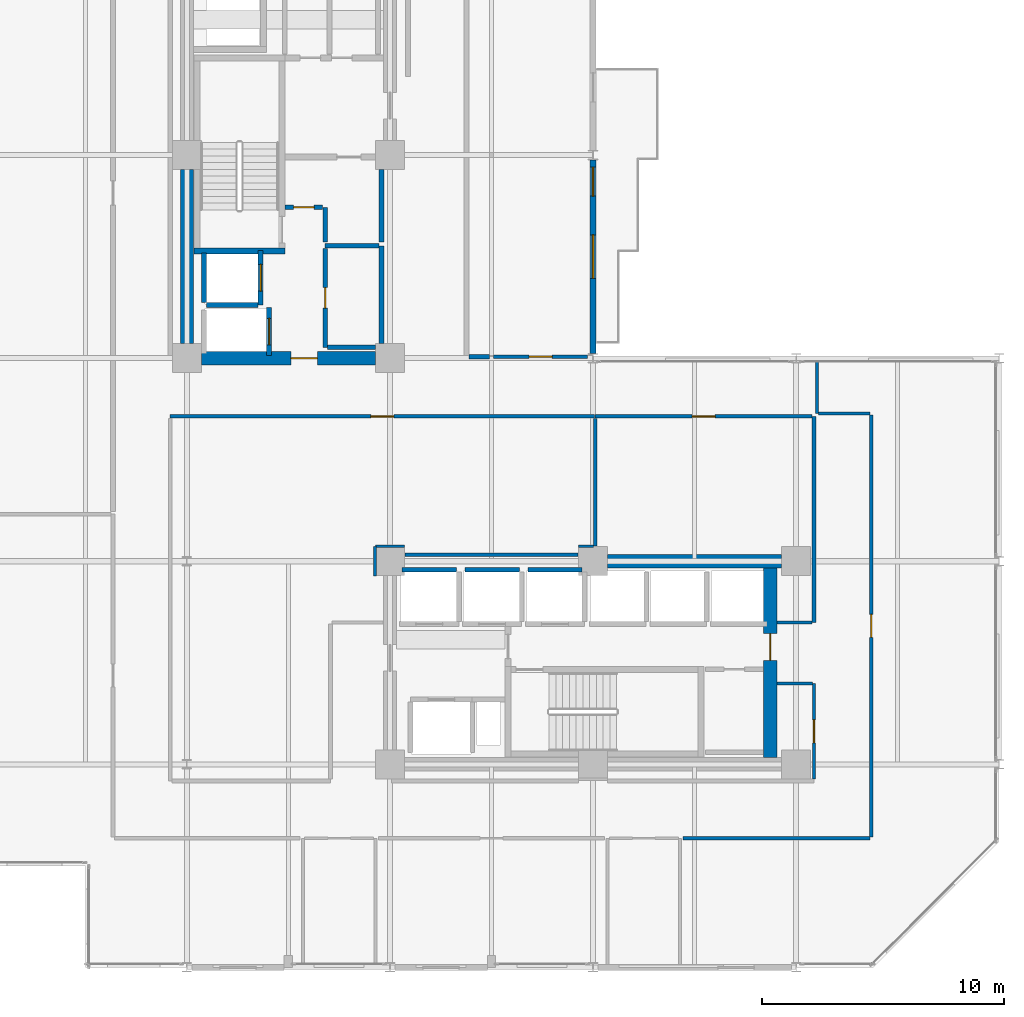
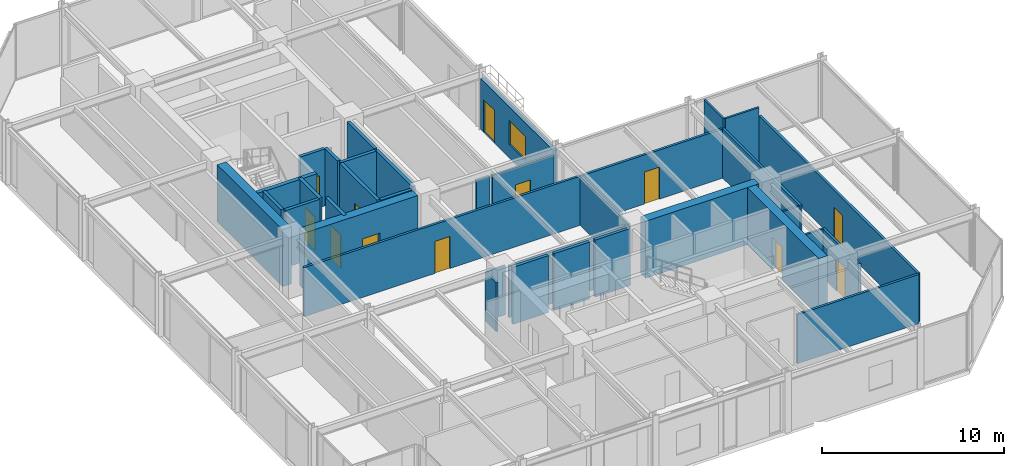
# One storey, part 25 of 29: 37 walls, 12 doors, 1 window, 13 openings.
"""IFC4 building model written with IfcOpenShell, lengths in metres."""

from ifc_helpers import new_model, si_unit, direction, frame, frame_2d, origin, place, context, subcontext, project, spatial, rectangle, extrude, material, layer, layer_set, type_object, element, fill, save


model = new_model("IFC4")

# Units and contexts
model_context = context("Model", 3, precision=1e-05, world=origin(), true_north=direction((0.0, 1.0)))
body_context = subcontext(model_context, "Body", "Model", "MODEL_VIEW")
ifc_project = project(units=[si_unit("LENGTHUNIT", "METRE"), si_unit("AREAUNIT", "SQUARE_METRE"), si_unit("VOLUMEUNIT", "CUBIC_METRE"), si_unit("PLANEANGLEUNIT", "RADIAN"), si_unit("MASSUNIT", "GRAM", prefix="KILO")], contexts=[model_context])

# Site, building, storey
site_placement = place(None, origin())
site = spatial("IfcSite", under=ifc_project, at=site_placement, CompositionType="ELEMENT")
building_placement = place(site_placement, origin())
building = spatial("IfcBuilding", under=site, at=building_placement, Name="Nerrivon Quay Data Exchange", CompositionType="ELEMENT")
storey_placement = place(building_placement, frame((0.0, 0.0, 125.39990234375)))
storey = spatial("IfcBuildingStorey", under=building, at=storey_placement, Name="L29", CompositionType="ELEMENT", Elevation=125.39990234375)

# Wall, openings, door, window
ifc_material_1 = material(Name="Architectural terracotta precast concrete N50 (50 MPa)", Category="masonry")
ifc_layer_1 = layer(ifc_material_1, 0.239990234375)
ifc_layer_set_1 = layer_set([ifc_layer_1], Name="Architectural terracotta precast concrete N50 (50 MPa)")
wall_type_1 = type_object("IfcWallType", Name="EW-PREC-240", PredefinedType="STANDARD", material=ifc_layer_set_1)
wall_1_placement = place(storey_placement, frame((25.199951171875, 33.39990234375, 0.0), z_axis=(0.0, 0.0, 1.0), x_axis=(0.0, -1.0, 0.0)))
wall_1 = element("IfcWall", 1, at=wall_1_placement, inside=storey, type_object=wall_type_1, Name="L29 Terrace Host Wall 25", PredefinedType="STANDARD", context=body_context, shape_type="SweptSolid", body=[
    extrude(rectangle(XDim=8.0, YDim=0.239990234375, at=frame_2d((4.0, 0.0))), origin(), (0.0, 0.0, 1.0), 3.422119140625),
])
opening_1_placement = place(wall_1_placement, frame((0.300048828125, 0.0, 0.0)))
opening_1 = element("IfcOpeningElement", 2, at=opening_1_placement, cuts=wall_1, Name="Opening TD1", PredefinedType="OPENING", context=body_context, shape_type="SweptSolid", body=[
    extrude(rectangle(XDim=1.199951171875, YDim=2.199951171875, at=frame_2d((0.60009765625, 1.10009765625))), frame((0.0, 0.1298828125, 0.0), z_axis=(0.0, -1.0, 0.0), x_axis=(1.0, 0.0, 0.0)), (0.0, 0.0, 1.0), 0.260009765625),
])
opening_2_placement = place(wall_1_placement, frame((3.10009765625, 0.0, 0.89990234375)))
opening_2 = element("IfcOpeningElement", 3, at=opening_2_placement, cuts=wall_1, Name="Opening WN2", PredefinedType="OPENING", context=body_context, shape_type="SweptSolid", body=[
    extrude(rectangle(XDim=1.800048828125, YDim=1.60009765625, at=frame_2d((0.89990234375, 0.800048828125))), frame((0.0, 0.1298828125, 0.0), z_axis=(0.0, -1.0, 0.0), x_axis=(1.0, 0.0, 0.0)), (0.0, 0.0, 1.0), 0.260009765625),
])
ifc_material_2 = material(Name="Double-glazed low-E solar control glass", Category="glass")
door_type_1 = type_object("IfcDoorType", Name="DR-TERR-1200x2200", OperationType="NOTDEFINED", PredefinedType="DOOR", material=ifc_material_2)
door_1_placement = place(opening_1_placement, origin())
door_1 = element("IfcDoor", 4, at=door_1_placement, inside=storey, type_object=door_type_1, Name="L29 Outdoor Terrace Access Door 25", OperationType="SINGLE_SWING_RIGHT", OverallHeight=2.199951171875, OverallWidth=1.199951171875, PredefinedType="DOOR", context=body_context, shape_type="SweptSolid", body=[
    extrude(rectangle(XDim=1.199951171875, YDim=2.199951171875, at=frame_2d((0.60009765625, 1.10009765625))), frame((0.0, 0.02490234375, 0.0), z_axis=(0.0, -1.0, 0.0), x_axis=(1.0, 0.0, 0.0)), (0.0, 0.0, 1.0), 0.050048828125),
])
fill(opening_1, door_1)
window_type = type_object("IfcWindowType", Name="WIN-W2-1800x1600", PartitioningType="SINGLE_PANEL", PredefinedType="WINDOW", material=ifc_material_2)
window_placement = place(opening_2_placement, origin())
window = element("IfcWindow", 5, at=window_placement, inside=storey, type_object=window_type, Name="L29 Terrace Side Window 25", OverallHeight=1.60009765625, OverallWidth=1.800048828125, PartitioningType="SINGLE_PANEL", PredefinedType="WINDOW", context=body_context, shape_type="SweptSolid", body=[
    extrude(rectangle(XDim=1.800048828125, YDim=1.60009765625, at=frame_2d((0.89990234375, 0.800048828125))), frame((0.0, 0.030029296875, 0.0), z_axis=(0.0, -1.0, 0.0), x_axis=(1.0, 0.0, 0.0)), (0.0, 0.0, 1.0), 0.06005859375),
])
fill(opening_2, window)

# Wall
ifc_material_3 = material(Name="Concrete S65 (65 MPa)", Category="concrete")
ifc_layer_2 = layer(ifc_material_3, 0.550048828125)
ifc_layer_set_2 = layer_set([ifc_layer_2], Name="Concrete S65 (65 MPa)")
wall_type_2 = type_object("IfcWallType", Name="WALL-CW-700", PredefinedType="SHEAR", material=ifc_layer_set_2)
wall_2_placement = place(storey_placement, frame((8.39990234375, 25.800048828125, 0.0), z_axis=(0.0, 0.0, 1.0), x_axis=(0.0, 1.0, 0.0)))
element("IfcWall", 6, at=wall_2_placement, inside=storey, type_object=wall_type_2, Name="L29 West Split-Core Shear Wall WCW-W1", PredefinedType="SHEAR", context=body_context, shape_type="SweptSolid", body=[
    extrude(rectangle(XDim=7.199951171875, YDim=0.550048828125, at=frame_2d((3.60009765625, 0.0))), origin(), (0.0, 0.0, 1.0), 3.8251953125),
])

# Wall, opening, door
wall_3_placement = place(storey_placement, frame((9.0, 25.199951171875, 0.0), z_axis=(0.0, 0.0, 1.0), x_axis=(1.0, 0.0, 0.0)))
wall_3 = element("IfcWall", 7, at=wall_3_placement, inside=storey, type_object=wall_type_2, Name="L29 West Split-Core Shear Wall WCW-S1", PredefinedType="SHEAR", context=body_context, shape_type="SweptSolid", body=[
    extrude(rectangle(XDim=7.199951171875, YDim=0.550048828125, at=frame_2d((3.60009765625, 0.0))), origin(), (0.0, 0.0, 1.0), 3.8251953125),
])
opening_3_placement = place(wall_3_placement, frame((3.699951171875, 0.0, 0.0)))
opening_3 = element("IfcOpeningElement", 8, at=opening_3_placement, cuts=wall_3, Name="Opening FD-120", PredefinedType="OPENING", context=body_context, shape_type="SweptSolid", body=[
    extrude(rectangle(XDim=1.10009765625, YDim=2.14990234375, at=frame_2d((0.550048828125, 1.074951171875))), frame((0.0, 0.284912109375, 0.0), z_axis=(0.0, -1.0, 0.0), x_axis=(1.0, 0.0, 0.0)), (0.0, 0.0, 1.0), 0.570068359375),
])
ifc_material_4 = material(Name="Powder-coated galvanized steel sheet", Category="steel")
door_type_2 = type_object("IfcDoorType", Name="DR-FD120-1100", OperationType="NOTDEFINED", PredefinedType="DOOR", material=ifc_material_4)
door_2_placement = place(opening_3_placement, origin())
door_2 = element("IfcDoor", 9, at=door_2_placement, inside=storey, type_object=door_type_2, Name="L29 West Core Lobby Fire Door", OperationType="SINGLE_SWING_LEFT", OverallHeight=2.14990234375, OverallWidth=1.10009765625, PredefinedType="DOOR", context=body_context, shape_type="SweptSolid", body=[
    extrude(rectangle(XDim=1.10009765625, YDim=2.14990234375, at=frame_2d((0.550048828125, 1.074951171875))), frame((0.0, 0.02490234375, 0.0), z_axis=(0.0, -1.0, 0.0), x_axis=(1.0, 0.0, 0.0)), (0.0, 0.0, 1.0), 0.050048828125),
])
fill(opening_3, door_2)

wall_4_placement = place(storey_placement, frame((32.52490234375, 8.675048828125, 0.0), z_axis=(0.0, 0.0, 1.0), x_axis=(0.0, 1.0, 0.0)))
wall_4 = element("IfcWall", 10, at=wall_4_placement, inside=storey, type_object=wall_type_2, Name="L29 East Split-Core Shear Wall ECW-E1", PredefinedType="SHEAR", context=body_context, shape_type="SweptSolid", body=[
    extrude(rectangle(XDim=7.849853515625, YDim=0.550048828125, at=frame_2d((3.9248046875, 0.0))), origin(), (0.0, 0.0, 1.0), 3.8251953125),
])
opening_4_placement = place(wall_4_placement, frame((4.02490234375, 0.0, 0.0)))
opening_4 = element("IfcOpeningElement", 11, at=opening_4_placement, cuts=wall_4, Name="Opening FD-120", PredefinedType="OPENING", context=body_context, shape_type="SweptSolid", body=[
    extrude(rectangle(XDim=1.10009765625, YDim=2.14990234375, at=frame_2d((0.550048828125, 1.074951171875))), frame((0.0, 0.284912109375, 0.0), z_axis=(0.0, -1.0, 0.0), x_axis=(1.0, 0.0, 0.0)), (0.0, 0.0, 1.0), 0.570068359375),
])
door_3_placement = place(opening_4_placement, origin())
door_3 = element("IfcDoor", 12, at=door_3_placement, inside=storey, type_object=door_type_2, Name="L29 East Core Lobby Fire Door", OperationType="SINGLE_SWING_RIGHT", OverallHeight=2.14990234375, OverallWidth=1.10009765625, PredefinedType="DOOR", context=body_context, shape_type="SweptSolid", body=[
    extrude(rectangle(XDim=1.10009765625, YDim=2.14990234375, at=frame_2d((0.550048828125, 1.074951171875))), frame((0.0, 0.02490234375, 0.0), z_axis=(0.0, -1.0, 0.0), x_axis=(1.0, 0.0, 0.0)), (0.0, 0.0, 1.0), 0.050048828125),
])
fill(opening_4, door_3)

# Wall
wall_5_placement = place(storey_placement, frame((25.800048828125, 16.800048828125, 0.0), z_axis=(0.0, 0.0, 1.0), x_axis=(1.0, 0.0, 0.0)))
element("IfcWall", 13, at=wall_5_placement, inside=storey, type_object=wall_type_2, Name="L29 East Split-Core Shear Wall ECW-N1", PredefinedType="SHEAR", context=body_context, shape_type="SweptSolid", body=[
    extrude(rectangle(XDim=7.199951171875, YDim=0.550048828125, at=frame_2d((3.60009765625, 0.0))), origin(), (0.0, 0.0, 1.0), 3.8251953125),
])

# Wall, opening, door
ifc_material_5 = material(Name="Gypsum plasterboard on cold-formed framing", Category="gypsum")
ifc_layer_3 = layer(ifc_material_5, 0.199951171875)
ifc_layer_set_3 = layer_set([ifc_layer_3], Name="Gypsum plasterboard on cold-formed framing")
wall_type_3 = type_object("IfcWallType", Name="WALL-FW-200", PredefinedType="PARTITIONING", material=ifc_layer_set_3)
wall_6_placement = place(storey_placement, frame((11.449951171875, 27.39990234375, 0.0), z_axis=(0.0, 0.0, 1.0), x_axis=(0.0, 1.0, 0.0)))
wall_6 = element("IfcWall", 14, at=wall_6_placement, inside=storey, type_object=wall_type_3, Name="L29 Lift Front Wall FFL-1", PredefinedType="PARTITIONING", context=body_context, shape_type="SweptSolid", body=[
    extrude(rectangle(XDim=2.25, YDim=0.199951171875, at=frame_2d((1.125, 0.0))), origin(), (0.0, 0.0, 1.0), 3.8251953125),
])
opening_5_placement = place(wall_6_placement, frame((0.574951171875, 0.0, 0.0)))
opening_5 = element("IfcOpeningElement", 15, at=opening_5_placement, cuts=wall_6, Name="Opening LD-120", PredefinedType="OPENING", context=body_context, shape_type="SweptSolid", body=[
    extrude(rectangle(XDim=1.10009765625, YDim=2.199951171875, at=frame_2d((0.550048828125, 1.10009765625))), frame((0.0, 0.10986328125, 0.0), z_axis=(0.0, -1.0, 0.0), x_axis=(1.0, 0.0, 0.0)), (0.0, 0.0, 1.0), 0.219970703125),
])
door_type_3 = type_object("IfcDoorType", Name="DR-LIFT-LD120", OperationType="DOUBLE_DOOR_SLIDING", PredefinedType="DOOR", material=ifc_material_4)
door_4_placement = place(opening_5_placement, origin())
door_4 = element("IfcDoor", 16, at=door_4_placement, inside=storey, type_object=door_type_3, Name="L29 Lift Landing Sliding Door FFL-1", OperationType="DOUBLE_DOOR_SLIDING", OverallHeight=2.199951171875, OverallWidth=1.10009765625, PredefinedType="DOOR", context=body_context, shape_type="SweptSolid", body=[
    extrude(rectangle(XDim=1.10009765625, YDim=2.199951171875, at=frame_2d((0.550048828125, 1.10009765625))), frame((0.0, 0.02490234375, 0.0), z_axis=(0.0, -1.0, 0.0), x_axis=(1.0, 0.0, 0.0)), (0.0, 0.0, 1.0), 0.050048828125),
])
fill(opening_5, door_4)

# Walls
wall_7_placement = place(storey_placement, frame((9.10009765625, 27.5, 0.0), z_axis=(0.0, 0.0, 1.0), x_axis=(0.0, 1.0, 0.0)))
element("IfcWall", 17, at=wall_7_placement, inside=storey, type_object=wall_type_3, Name="L29 Lift Shaft Wall FFL-1 WEST", PredefinedType="PARTITIONING", context=body_context, shape_type="SweptSolid", body=[
    extrude(rectangle(XDim=2.050048828125, YDim=0.199951171875, at=frame_2d((1.02490234375, 0.0))), origin(), (0.0, 0.0, 1.0), 3.8251953125),
])
wall_8_placement = place(storey_placement, frame((9.199951171875, 27.39990234375, 0.0), z_axis=(0.0, 0.0, 1.0), x_axis=(1.0, 0.0, 0.0)))
element("IfcWall", 18, at=wall_8_placement, inside=storey, type_object=wall_type_3, Name="L29 Lift Shaft Wall FFL-1 SOUTH", PredefinedType="PARTITIONING", context=body_context, shape_type="SweptSolid", body=[
    extrude(rectangle(XDim=2.150146484375, YDim=0.199951171875, at=frame_2d((1.0751953125, 0.0))), origin(), (0.0, 0.0, 1.0), 3.8251953125),
])

# Wall, opening, door
wall_9_placement = place(storey_placement, frame((11.800048828125, 25.300048828125, 0.0), z_axis=(0.0, 0.0, 1.0), x_axis=(0.0, 1.0, 0.0)))
wall_9 = element("IfcWall", 19, at=wall_9_placement, inside=storey, type_object=wall_type_3, Name="L29 Lift Front Wall SVL-1", PredefinedType="PARTITIONING", context=body_context, shape_type="SweptSolid", body=[
    extrude(rectangle(XDim=2.0, YDim=0.199951171875, at=frame_2d((1.0, 0.0))), origin(), (0.0, 0.0, 1.0), 3.8251953125),
])
opening_6_placement = place(wall_9_placement, frame((0.449951171875, 0.0, 0.0)))
opening_6 = element("IfcOpeningElement", 20, at=opening_6_placement, cuts=wall_9, Name="Opening LD-120", PredefinedType="OPENING", context=body_context, shape_type="SweptSolid", body=[
    extrude(rectangle(XDim=1.10009765625, YDim=2.199951171875, at=frame_2d((0.550048828125, 1.10009765625))), frame((0.0, 0.10986328125, 0.0), z_axis=(0.0, -1.0, 0.0), x_axis=(1.0, 0.0, 0.0)), (0.0, 0.0, 1.0), 0.219970703125),
])
door_5_placement = place(opening_6_placement, origin())
door_5 = element("IfcDoor", 21, at=door_5_placement, inside=storey, type_object=door_type_3, Name="L29 Lift Landing Sliding Door SVL-1", OperationType="DOUBLE_DOOR_SLIDING", OverallHeight=2.199951171875, OverallWidth=1.10009765625, PredefinedType="DOOR", context=body_context, shape_type="SweptSolid", body=[
    extrude(rectangle(XDim=1.10009765625, YDim=2.199951171875, at=frame_2d((0.550048828125, 1.10009765625))), frame((0.0, 0.02490234375, 0.0), z_axis=(0.0, -1.0, 0.0), x_axis=(1.0, 0.0, 0.0)), (0.0, 0.0, 1.0), 0.050048828125),
])
fill(opening_6, door_5)

# Walls
for number, where, z_axis, x_axis, name in (
    (22, (17.300048828125, 16.449951171875, 0.0), (0.0, 0.0, 1.0), (1.0, 0.0, 0.0), "L29 Lift Shaft Wall PL4 NORTH"),
    (23, (19.89990234375, 16.449951171875, 0.0), (0.0, 0.0, 1.0), (1.0, 0.0, 0.0), "L29 Lift Shaft Wall PL5 NORTH"),
    (24, (22.5, 16.449951171875, 0.0), (0.0, 0.0, 1.0), (1.0, 0.0, 0.0), "L29 Lift Shaft Wall PL6 NORTH"),
):
    element("IfcWall", number, at=place(storey_placement, frame(where, z_axis=z_axis, x_axis=x_axis)), inside=storey, type_object=wall_type_3, Name=name, PredefinedType="PARTITIONING", context=body_context, shape_type="SweptSolid", body=[
        extrude(rectangle(XDim=2.25, YDim=0.199951171875, at=frame_2d((1.125, 0.0))), origin(), (0.0, 0.0, 1.0), 3.8251953125),
    ])
wall_10_placement = place(storey_placement, frame((16.449951171875, 25.804931640625, 0.0), z_axis=(0.0, 0.0, 1.0), x_axis=(0.0, 1.0, 0.0)))
element("IfcWall", 25, at=wall_10_placement, inside=storey, type_object=wall_type_3, Name="L29 Partition Telemetry Hub Closet", PredefinedType="PARTITIONING", context=body_context, shape_type="SweptSolid", body=[
    extrude(rectangle(XDim=4.045166015625, YDim=0.199951171875, at=frame_2d((2.0224609375, 0.0))), origin(), (0.0, 0.0, 1.0), 3.8251953125),
])
wall_11_placement = place(storey_placement, frame((16.345947265625, 29.85009765625, 0.0), z_axis=(0.0, 0.0, 1.0), x_axis=(-1.0, 0.0, 0.0)))
element("IfcWall", 26, at=wall_11_placement, inside=storey, type_object=wall_type_3, Name="L29 Partition Telemetry Hub Closet", PredefinedType="PARTITIONING", context=body_context, shape_type="SweptSolid", body=[
    extrude(rectangle(XDim=2.225830078125, YDim=0.199951171875, at=frame_2d((1.11279296875, 0.0))), origin(), (0.0, 0.0, 1.0), 3.8251953125),
])

# Wall, opening, door
wall_12_placement = place(storey_placement, frame((14.1201171875, 29.74609375, 0.0), z_axis=(0.0, 0.0, 1.0), x_axis=(0.0, -1.0, 0.0)))
wall_12 = element("IfcWall", 27, at=wall_12_placement, inside=storey, type_object=wall_type_3, Name="L29 Partition Telemetry Hub Closet", PredefinedType="PARTITIONING", context=body_context, shape_type="SweptSolid", body=[
    extrude(rectangle(XDim=4.09619140625, YDim=0.199951171875, at=frame_2d((2.048095703125, 0.0))), origin(), (0.0, 0.0, 1.0), 3.8251953125),
])
opening_7_placement = place(wall_12_placement, frame((1.623046875, 0.0, 0.0)))
opening_7 = element("IfcOpeningElement", 28, at=opening_7_placement, cuts=wall_12, Name="Opening FD-60S", PredefinedType="OPENING", context=body_context, shape_type="SweptSolid", body=[
    extrude(rectangle(XDim=0.85009765625, YDim=2.14990234375, at=frame_2d((0.425048828125, 1.074951171875))), frame((0.0, 0.10986328125, 0.0), z_axis=(0.0, -1.0, 0.0), x_axis=(1.0, 0.0, 0.0)), (0.0, 0.0, 1.0), 0.219970703125),
])
ifc_material_6 = material(Name="Engineered hardwood timber", Category="wood")
door_type_4 = type_object("IfcDoorType", Name="DR-FD60-850", OperationType="NOTDEFINED", PredefinedType="DOOR", material=ifc_material_6)
door_6_placement = place(opening_7_placement, origin())
door_6 = element("IfcDoor", 29, at=door_6_placement, inside=storey, type_object=door_type_4, Name="L29 Door Telemetry Hub Closet", OperationType="SINGLE_SWING_RIGHT", OverallHeight=2.14990234375, OverallWidth=0.85009765625, PredefinedType="DOOR", context=body_context, shape_type="SweptSolid", body=[
    extrude(rectangle(XDim=0.85009765625, YDim=2.14990234375, at=frame_2d((0.425048828125, 1.074951171875))), frame((0.0, 0.02490234375, 0.0), z_axis=(0.0, -1.0, 0.0), x_axis=(1.0, 0.0, 0.0)), (0.0, 0.0, 1.0), 0.050048828125),
])
fill(opening_7, door_6)

# Walls
wall_13_placement = place(storey_placement, frame((14.22412109375, 25.64990234375, 0.0), z_axis=(0.0, 0.0, 1.0), x_axis=(1.0, 0.0, 0.0)))
element("IfcWall", 30, at=wall_13_placement, inside=storey, type_object=wall_type_3, Name="L29 Partition Telemetry Hub Closet", PredefinedType="PARTITIONING", context=body_context, shape_type="SweptSolid", body=[
    extrude(rectangle(XDim=1.970947265625, YDim=0.199951171875, at=frame_2d((0.9853515625, 0.0))), origin(), (0.0, 0.0, 1.0), 3.8251953125),
])
wall_14_placement = place(storey_placement, frame((14.1201171875, 31.43994140625, 0.0), z_axis=(0.0, 0.0, 1.0), x_axis=(0.0, -1.0, 0.0)))
element("IfcWall", 31, at=wall_14_placement, inside=storey, type_object=wall_type_3, Name="L29 Partition Core Equipment Store", PredefinedType="PARTITIONING", context=body_context, shape_type="SweptSolid", body=[
    extrude(rectangle(XDim=1.43994140625, YDim=0.199951171875, at=frame_2d((0.719970703125, 0.0))), origin(), (0.0, 0.0, 1.0), 3.8251953125),
])
wall_15_placement = place(storey_placement, frame((16.449951171875, 30.0, 0.0), z_axis=(0.0, 0.0, 1.0), x_axis=(0.0, 1.0, 0.0)))
element("IfcWall", 32, at=wall_15_placement, inside=storey, type_object=wall_type_3, Name="L29 Partition Core Equipment Store", PredefinedType="PARTITIONING", context=body_context, shape_type="SweptSolid", body=[
    extrude(rectangle(XDim=2.9951171875, YDim=0.199951171875, at=frame_2d((1.49755859375, 0.0))), origin(), (0.0, 0.0, 1.0), 3.8251953125),
])

# Wall, opening, door
wall_16_placement = place(storey_placement, frame((12.4541015625, 31.43994140625, 0.0), z_axis=(0.0, 0.0, 1.0), x_axis=(1.0, 0.0, 0.0)))
wall_16 = element("IfcWall", 33, at=wall_16_placement, inside=storey, type_object=wall_type_3, Name="L29 Partition Core Equipment Store", PredefinedType="PARTITIONING", context=body_context, shape_type="SweptSolid", body=[
    extrude(rectangle(XDim=1.56201171875, YDim=0.199951171875, at=frame_2d((0.781005859375, 0.0))), origin(), (0.0, 0.0, 1.0), 3.8251953125),
])
opening_8_placement = place(wall_16_placement, frame((0.35595703125, 0.0, 0.0)))
opening_8 = element("IfcOpeningElement", 34, at=opening_8_placement, cuts=wall_16, Name="Opening FD-60S", PredefinedType="OPENING", context=body_context, shape_type="SweptSolid", body=[
    extrude(rectangle(XDim=0.85009765625, YDim=2.14990234375, at=frame_2d((0.425048828125, 1.074951171875))), frame((0.0, 0.10986328125, 0.0), z_axis=(0.0, -1.0, 0.0), x_axis=(1.0, 0.0, 0.0)), (0.0, 0.0, 1.0), 0.219970703125),
])
door_7_placement = place(opening_8_placement, origin())
door_7 = element("IfcDoor", 35, at=door_7_placement, inside=storey, type_object=door_type_4, Name="L29 Door Core Equipment Store", OperationType="SINGLE_SWING_LEFT", OverallHeight=2.14990234375, OverallWidth=0.85009765625, PredefinedType="DOOR", context=body_context, shape_type="SweptSolid", body=[
    extrude(rectangle(XDim=0.85009765625, YDim=2.14990234375, at=frame_2d((0.425048828125, 1.074951171875))), frame((0.0, 0.02490234375, 0.0), z_axis=(0.0, -1.0, 0.0), x_axis=(1.0, 0.0, 0.0)), (0.0, 0.0, 1.0), 0.050048828125),
])
fill(opening_8, door_7)

# Walls
wall_17_placement = place(storey_placement, frame((20.06396484375, 25.260009765625, 0.0), z_axis=(0.0, 0.0, 1.0), x_axis=(1.0, 0.0, 0.0)))
element("IfcWall", 36, at=wall_17_placement, inside=storey, type_object=wall_type_3, Name="L29 Partition Colocation Data Workspace 1", PredefinedType="PARTITIONING", context=body_context, shape_type="SweptSolid", body=[
    extrude(rectangle(XDim=0.85693359375, YDim=0.199951171875, at=frame_2d((0.428466796875, 0.0))), origin(), (0.0, 0.0, 1.0), 3.2919921875),
])
ifc_layer_4 = layer(ifc_material_5, 0.1201171875)
ifc_layer_set_4 = layer_set([ifc_layer_4], Name="Gypsum plasterboard on cold-formed framing")
wall_type_4 = type_object("IfcWallType", Name="WALL-PT-120", PredefinedType="PARTITIONING", material=ifc_layer_set_4)
wall_18_placement = place(storey_placement, frame((34.2685546875, 11.739990234375, 0.0), z_axis=(0.0, 0.0, 1.0), x_axis=(-1.0, 0.0, 0.0)))
element("IfcWall", 37, at=wall_18_placement, inside=storey, type_object=wall_type_4, Name="L29 Partition Staff Pantry", PredefinedType="PARTITIONING", context=body_context, shape_type="SweptSolid", body=[
    extrude(rectangle(XDim=1.464599609375, YDim=0.1201171875, at=frame_2d((0.732421875, 0.0))), origin(), (0.0, 0.0, 1.0), 3.297119140625),
])
wall_19_placement = place(storey_placement, frame((32.803955078125, 14.260009765625, 0.0), z_axis=(0.0, 0.0, 1.0), x_axis=(1.0, 0.0, 0.0)))
element("IfcWall", 38, at=wall_19_placement, inside=storey, type_object=wall_type_4, Name="L29 Partition Peering Huddle Meeting Room", PredefinedType="PARTITIONING", context=body_context, shape_type="SweptSolid", body=[
    extrude(rectangle(XDim=1.45703125, YDim=0.1201171875, at=frame_2d((0.728515625, 0.0))), origin(), (0.0, 0.0, 1.0), 3.297119140625),
])
wall_20_placement = place(storey_placement, frame((16.180908203125, 16.194091796875, 0.0), z_axis=(0.0, 0.0, 1.0), x_axis=(-0.000809880277, 0.999999672047, 0.0)))
element("IfcWall", 39, at=wall_20_placement, inside=storey, type_object=wall_type_4, Name="L29 Partition Staff Bistro", PredefinedType="PARTITIONING", context=body_context, shape_type="SweptSolid", body=[
    extrude(rectangle(XDim=1.205810546875, YDim=0.1201171875, at=frame_2d((0.60302734375, 0.0))), origin(), (0.0, 0.0, 1.0), 3.2919921875),
])
wall_21_placement = place(storey_placement, frame((16.194091796875, 17.419189453125, 0.0), z_axis=(0.0, 0.0, 1.0), x_axis=(1.0, 0.0, 0.0)))
element("IfcWall", 40, at=wall_21_placement, inside=storey, type_object=wall_type_4, Name="L29 Partition Staff Bistro", PredefinedType="PARTITIONING", context=body_context, shape_type="SweptSolid", body=[
    extrude(rectangle(XDim=1.211669921875, YDim=0.1201171875, at=frame_2d((0.60595703125, 0.0))), origin(), (0.0, 0.0, 1.0), 3.297119140625),
])
wall_22_placement = place(storey_placement, frame((24.60009765625, 17.419921875, 0.0), z_axis=(0.0, 0.0, 1.0), x_axis=(1.0, 0.0, 0.0)))
element("IfcWall", 41, at=wall_22_placement, inside=storey, type_object=wall_type_4, Name="L29 Partition Staff Bistro", PredefinedType="PARTITIONING", context=body_context, shape_type="SweptSolid", body=[
    extrude(rectangle(XDim=0.6142578125, YDim=0.1201171875, at=frame_2d((0.30712890625, 0.0))), origin(), (0.0, 0.0, 1.0), 3.297119140625),
])
wall_23_placement = place(storey_placement, frame((34.4599609375, 25.031005859375, 0.0), z_axis=(0.0, 0.0, 1.0), x_axis=(0.0, -1.0, 0.0)))
element("IfcWall", 42, at=wall_23_placement, inside=storey, type_object=wall_type_4, Name="L29 Partition Technical Library", PredefinedType="PARTITIONING", context=body_context, shape_type="SweptSolid", body=[
    extrude(rectangle(XDim=2.12109375, YDim=0.1201171875, at=frame_2d((1.060546875, 0.0))), origin(), (0.0, 0.0, 1.0), 3.8251953125),
])
wall_24_placement = place(storey_placement, frame((34.52392578125, 22.909912109375, 0.0), z_axis=(0.0, 0.0, 1.0), x_axis=(1.0, 0.0, 0.0)))
element("IfcWall", 43, at=wall_24_placement, inside=storey, type_object=wall_type_4, Name="L29 Partition Technical Library", PredefinedType="PARTITIONING", context=body_context, shape_type="SweptSolid", body=[
    extrude(rectangle(XDim=2.1259765625, YDim=0.1201171875, at=frame_2d((1.06298828125, 0.0))), origin(), (0.0, 0.0, 1.0), 3.8251953125),
])

# Wall, opening, door
ifc_layer_5 = layer(ifc_material_5, 0.135009765625)
ifc_layer_set_5 = layer_set([ifc_layer_5], Name="Gypsum plasterboard on cold-formed framing")
wall_type_5 = type_object("IfcWallType", Name="WALL-PT-135", PredefinedType="PARTITIONING", material=ifc_layer_set_5)
wall_25_placement = place(storey_placement, frame((34.340087890625, 7.7890625, 0.0), z_axis=(0.0, 0.0, 1.0), x_axis=(0.0, 1.0, 0.0)))
wall_25 = element("IfcWall", 44, at=wall_25_placement, inside=storey, type_object=wall_type_5, Name="L29 Partition Staff Pantry", PredefinedType="PARTITIONING", context=body_context, shape_type="SweptSolid", body=[
    extrude(rectangle(XDim=3.950927734375, YDim=0.135009765625, at=frame_2d((1.9755859375, 0.0))), origin(), (0.0, 0.0, 1.0), 3.2919921875),
])
opening_9_placement = place(wall_25_placement, frame((1.50048828125, 0.0, 0.0)))
opening_9 = element("IfcOpeningElement", 45, at=opening_9_placement, cuts=wall_25, Name="Opening D-01", PredefinedType="OPENING", context=body_context, shape_type="SweptSolid", body=[
    extrude(rectangle(XDim=0.949951171875, YDim=2.14990234375, at=frame_2d((0.47509765625, 1.074951171875))), frame((0.0, 0.077392578125, 0.0), z_axis=(0.0, -1.0, 0.0), x_axis=(1.0, 0.0, 0.0)), (0.0, 0.0, 1.0), 0.155029296875),
])
door_type_5 = type_object("IfcDoorType", Name="DR-INT-950", OperationType="NOTDEFINED", PredefinedType="DOOR", material=ifc_material_6)
door_8_placement = place(opening_9_placement, origin())
door_8 = element("IfcDoor", 46, at=door_8_placement, inside=storey, type_object=door_type_5, Name="L29 Door Staff Pantry", OperationType="SINGLE_SWING_LEFT", OverallHeight=2.14990234375, OverallWidth=0.949951171875, PredefinedType="DOOR", context=body_context, shape_type="SweptSolid", body=[
    extrude(rectangle(XDim=0.949951171875, YDim=2.14990234375, at=frame_2d((0.47509765625, 1.074951171875))), frame((0.0, 0.02490234375, 0.0), z_axis=(0.0, -1.0, 0.0), x_axis=(1.0, 0.0, 0.0)), (0.0, 0.0, 1.0), 0.050048828125),
])
fill(opening_9, door_8)

# Wall
wall_26_placement = place(storey_placement, frame((25.285888671875, 22.7109375, 0.0), z_axis=(0.0, 0.0, 1.0), x_axis=(0.0, -1.0, 0.0)))
element("IfcWall", 47, at=wall_26_placement, inside=storey, type_object=wall_type_5, Name="L29 Partition Peering Huddle Meeting Room", PredefinedType="PARTITIONING", context=body_context, shape_type="SweptSolid", body=[
    extrude(rectangle(XDim=5.291015625, YDim=0.135009765625, at=frame_2d((2.6455078125, 0.0))), origin(), (0.0, 0.0, 1.0), 3.297119140625),
])

# Wall, opening, door
wall_27_placement = place(storey_placement, frame((21.0791015625, 25.260009765625, 0.0), z_axis=(0.0, 0.0, 1.0), x_axis=(1.0, 0.0, 0.0)))
wall_27 = element("IfcWall", 48, at=wall_27_placement, inside=storey, type_object=wall_type_5, Name="L29 Partition Technical Library", PredefinedType="PARTITIONING", context=body_context, shape_type="SweptSolid", body=[
    extrude(rectangle(XDim=3.90087890625, YDim=0.135009765625, at=frame_2d((1.950439453125, 0.0))), origin(), (0.0, 0.0, 1.0), 3.2919921875),
])
opening_10_placement = place(wall_27_placement, frame((1.4755859375, 0.0, 0.0)))
opening_10 = element("IfcOpeningElement", 49, at=opening_10_placement, cuts=wall_27, Name="Opening D-01", PredefinedType="OPENING", context=body_context, shape_type="SweptSolid", body=[
    extrude(rectangle(XDim=0.949951171875, YDim=2.14990234375, at=frame_2d((0.47509765625, 1.074951171875))), frame((0.0, 0.077392578125, 0.0), z_axis=(0.0, -1.0, 0.0), x_axis=(1.0, 0.0, 0.0)), (0.0, 0.0, 1.0), 0.155029296875),
])
door_9_placement = place(opening_10_placement, origin())
door_9 = element("IfcDoor", 50, at=door_9_placement, inside=storey, type_object=door_type_5, Name="L29 Door Technical Library", OperationType="SINGLE_SWING_LEFT", OverallHeight=2.14990234375, OverallWidth=0.949951171875, PredefinedType="DOOR", context=body_context, shape_type="SweptSolid", body=[
    extrude(rectangle(XDim=0.949951171875, YDim=2.14990234375, at=frame_2d((0.47509765625, 1.074951171875))), frame((0.0, 0.02490234375, 0.0), z_axis=(0.0, -1.0, 0.0), x_axis=(1.0, 0.0, 0.0)), (0.0, 0.0, 1.0), 0.050048828125),
])
fill(opening_10, door_9)

# Wall
ifc_layer_6 = layer(ifc_material_5, 0.14990234375)
ifc_layer_set_6 = layer_set([ifc_layer_6], Name="Gypsum plasterboard on cold-formed framing")
wall_type_6 = type_object("IfcWallType", Name="WALL-PT-150", PredefinedType="PARTITIONING", material=ifc_layer_set_6)
wall_28_placement = place(storey_placement, frame((34.340087890625, 14.260009765625, 0.0), z_axis=(0.0, 0.0, 1.0), x_axis=(0.0, 1.0, 0.0)))
element("IfcWall", 51, at=wall_28_placement, inside=storey, type_object=wall_type_6, Name="L29 Partition Peering Huddle Meeting Room", PredefinedType="PARTITIONING", context=body_context, shape_type="SweptSolid", body=[
    extrude(rectangle(XDim=8.530029296875, YDim=0.14990234375, at=frame_2d((4.26513671875, 0.0))), origin(), (0.0, 0.0, 1.0), 3.2919921875),
])

# Wall, opening, door
wall_29_placement = place(storey_placement, frame((34.260986328125, 22.7900390625, 0.0), z_axis=(0.0, 0.0, 1.0), x_axis=(-1.0, 0.0, 0.0)))
wall_29 = element("IfcWall", 52, at=wall_29_placement, inside=storey, type_object=wall_type_6, Name="L29 Partition Peering Huddle Meeting Room", PredefinedType="PARTITIONING", context=body_context, shape_type="SweptSolid", body=[
    extrude(rectangle(XDim=8.97509765625, YDim=0.14990234375, at=frame_2d((4.487548828125, 0.0))), origin(), (0.0, 0.0, 1.0), 3.297119140625),
])
opening_11_placement = place(wall_29_placement, frame((4.0126953125, 0.0, 0.0)))
opening_11 = element("IfcOpeningElement", 53, at=opening_11_placement, cuts=wall_29, Name="Opening D-01", PredefinedType="OPENING", context=body_context, shape_type="SweptSolid", body=[
    extrude(rectangle(XDim=0.949951171875, YDim=2.14990234375, at=frame_2d((0.47509765625, 1.074951171875))), frame((0.0, 0.0849609375, 0.0), z_axis=(0.0, -1.0, 0.0), x_axis=(1.0, 0.0, 0.0)), (0.0, 0.0, 1.0), 0.169921875),
])
door_10_placement = place(opening_11_placement, origin())
door_10 = element("IfcDoor", 54, at=door_10_placement, inside=storey, type_object=door_type_5, Name="L29 Door Peering Huddle Meeting Room", OperationType="SINGLE_SWING_LEFT", OverallHeight=2.14990234375, OverallWidth=0.949951171875, PredefinedType="DOOR", context=body_context, shape_type="SweptSolid", body=[
    extrude(rectangle(XDim=0.949951171875, YDim=2.14990234375, at=frame_2d((0.47509765625, 1.074951171875))), frame((0.0, 0.02490234375, 0.0), z_axis=(0.0, -1.0, 0.0), x_axis=(1.0, 0.0, 0.0)), (0.0, 0.0, 1.0), 0.050048828125),
])
fill(opening_11, door_10)

# Wall
wall_30_placement = place(storey_placement, frame((17.419921875, 17.074951171875, 0.0), z_axis=(0.0, 0.0, 1.0), x_axis=(1.0, 0.0, 0.0)))
element("IfcWall", 55, at=wall_30_placement, inside=storey, type_object=wall_type_6, Name="L29 Partition Staff Bistro", PredefinedType="PARTITIONING", context=body_context, shape_type="SweptSolid", body=[
    extrude(rectangle(XDim=7.16015625, YDim=0.14990234375, at=frame_2d((3.580078125, 0.0))), origin(), (0.0, 0.0, 1.0), 3.468994140625),
])

# Wall, opening, door
wall_31_placement = place(storey_placement, frame((25.265869140625, 22.7900390625, 0.0), z_axis=(0.0, 0.0, 1.0), x_axis=(-1.0, 0.0, 0.0)))
wall_31 = element("IfcWall", 56, at=wall_31_placement, inside=storey, type_object=wall_type_6, Name="L29 Partition Staff Bistro", PredefinedType="PARTITIONING", context=body_context, shape_type="SweptSolid", body=[
    extrude(rectangle(XDim=17.555908203125, YDim=0.14990234375, at=frame_2d((8.77783203125, 0.0))), origin(), (0.0, 0.0, 1.0), 3.297119140625),
])
opening_12_placement = place(wall_31_placement, frame((8.302978515625, 0.0, 0.0)))
opening_12 = element("IfcOpeningElement", 57, at=opening_12_placement, cuts=wall_31, Name="Opening D-01", PredefinedType="OPENING", context=body_context, shape_type="SweptSolid", body=[
    extrude(rectangle(XDim=0.949951171875, YDim=2.14990234375, at=frame_2d((0.47509765625, 1.074951171875))), frame((0.0, 0.0849609375, 0.0), z_axis=(0.0, -1.0, 0.0), x_axis=(1.0, 0.0, 0.0)), (0.0, 0.0, 1.0), 0.169921875),
])
door_11_placement = place(opening_12_placement, origin())
door_11 = element("IfcDoor", 58, at=door_11_placement, inside=storey, type_object=door_type_5, Name="L29 Door Staff Bistro", OperationType="SINGLE_SWING_LEFT", OverallHeight=2.14990234375, OverallWidth=0.949951171875, PredefinedType="DOOR", context=body_context, shape_type="SweptSolid", body=[
    extrude(rectangle(XDim=0.949951171875, YDim=2.14990234375, at=frame_2d((0.47509765625, 1.074951171875))), frame((0.0, 0.02490234375, 0.0), z_axis=(0.0, -1.0, 0.0), x_axis=(1.0, 0.0, 0.0)), (0.0, 0.0, 1.0), 0.050048828125),
])
fill(opening_12, door_11)

# Wall
wall_32_placement = place(storey_placement, frame((36.64990234375, 5.340087890625, 0.0), z_axis=(0.0, 0.0, 1.0), x_axis=(-1.0, 0.0, 0.0)))
element("IfcWall", 59, at=wall_32_placement, inside=storey, type_object=wall_type_6, Name="L29 Partition Technical Library", PredefinedType="PARTITIONING", context=body_context, shape_type="SweptSolid", body=[
    extrude(rectangle(XDim=7.72998046875, YDim=0.14990234375, at=frame_2d((3.864990234375, 0.0))), origin(), (0.0, 0.0, 1.0), 3.297119140625),
])

# Wall, opening, door
wall_33_placement = place(storey_placement, frame((36.7099609375, 22.85009765625, 0.0), z_axis=(0.0, 0.0, 1.0), x_axis=(0.0, -1.0, 0.0)))
wall_33 = element("IfcWall", 60, at=wall_33_placement, inside=storey, type_object=wall_type_6, Name="L29 Partition Technical Library", PredefinedType="PARTITIONING", context=body_context, shape_type="SweptSolid", body=[
    extrude(rectangle(XDim=17.4501953125, YDim=0.14990234375, at=frame_2d((8.72509765625, 0.0))), origin(), (0.0, 0.0, 1.0), 3.2919921875),
])
opening_13_placement = place(wall_33_placement, frame((8.25, 0.0, 0.0)))
opening_13 = element("IfcOpeningElement", 61, at=opening_13_placement, cuts=wall_33, Name="Opening D-01", PredefinedType="OPENING", context=body_context, shape_type="SweptSolid", body=[
    extrude(rectangle(XDim=0.949951171875, YDim=2.14990234375, at=frame_2d((0.47509765625, 1.074951171875))), frame((0.0, 0.0849609375, 0.0), z_axis=(0.0, -1.0, 0.0), x_axis=(1.0, 0.0, 0.0)), (0.0, 0.0, 1.0), 0.169921875),
])
door_12_placement = place(opening_13_placement, origin())
door_12 = element("IfcDoor", 62, at=door_12_placement, inside=storey, type_object=door_type_5, Name="L29 Door Technical Library", OperationType="SINGLE_SWING_RIGHT", OverallHeight=2.14990234375, OverallWidth=0.949951171875, PredefinedType="DOOR", context=body_context, shape_type="SweptSolid", body=[
    extrude(rectangle(XDim=0.949951171875, YDim=2.14990234375, at=frame_2d((0.47509765625, 1.074951171875))), frame((0.0, 0.02490234375, 0.0), z_axis=(0.0, -1.0, 0.0), x_axis=(1.0, 0.0, 0.0)), (0.0, 0.0, 1.0), 0.050048828125),
])
fill(opening_13, door_12)

# Wall
ifc_material_7 = material(Name="Concrete N50 (50 MPa)", Category="concrete")
ifc_layer_7 = layer(ifc_material_7, 0.25)
ifc_layer_set_7 = layer_set([ifc_layer_7], Name="Concrete N50 (50 MPa)")
wall_type_7 = type_object("IfcWallType", Name="WALL-SW-250", PredefinedType="SHEAR", material=ifc_layer_set_7)
wall_34_placement = place(storey_placement, frame((12.449951171875, 29.625, 0.0), z_axis=(0.0, 0.0, 1.0), x_axis=(-1.0, 0.0, 0.0)))
element("IfcWall", 63, at=wall_34_placement, inside=storey, type_object=wall_type_7, Name="L29 ST01 Structural Stair Core Wall NEAR", PredefinedType="SHEAR", context=body_context, shape_type="SweptSolid", body=[
    extrude(rectangle(XDim=3.75, YDim=0.25, at=frame_2d((1.875, 0.0))), origin(), (0.0, 0.0, 1.0), 3.8251953125),
])

save(model, "model.ifc")
